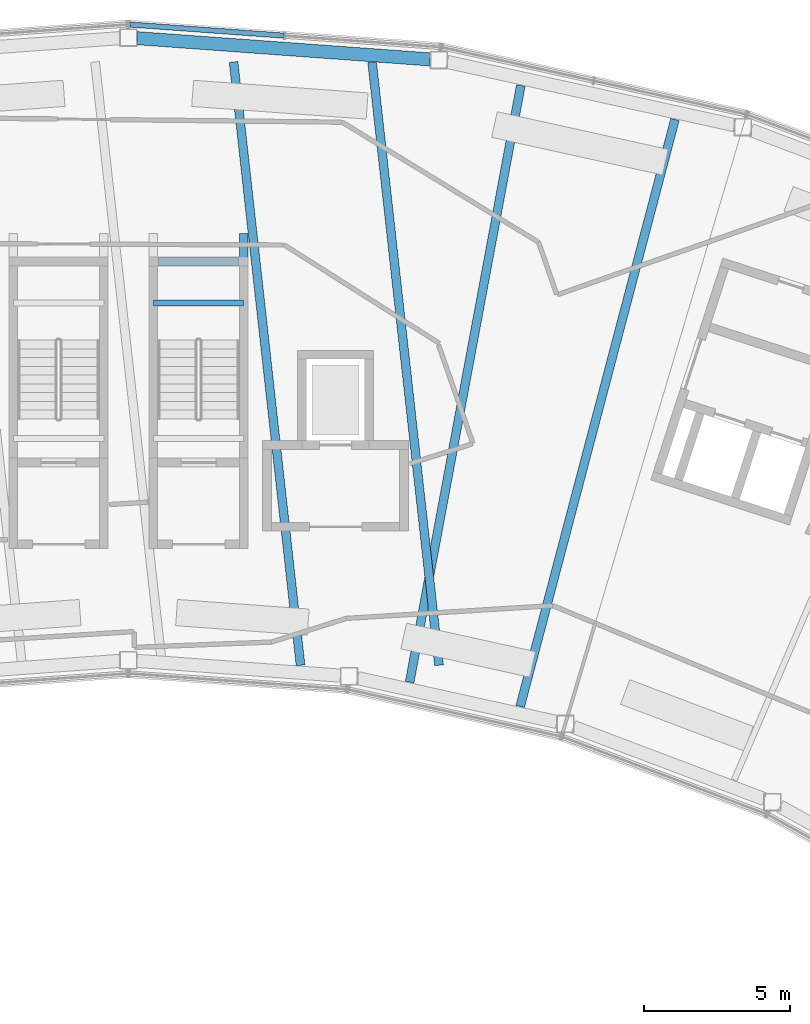
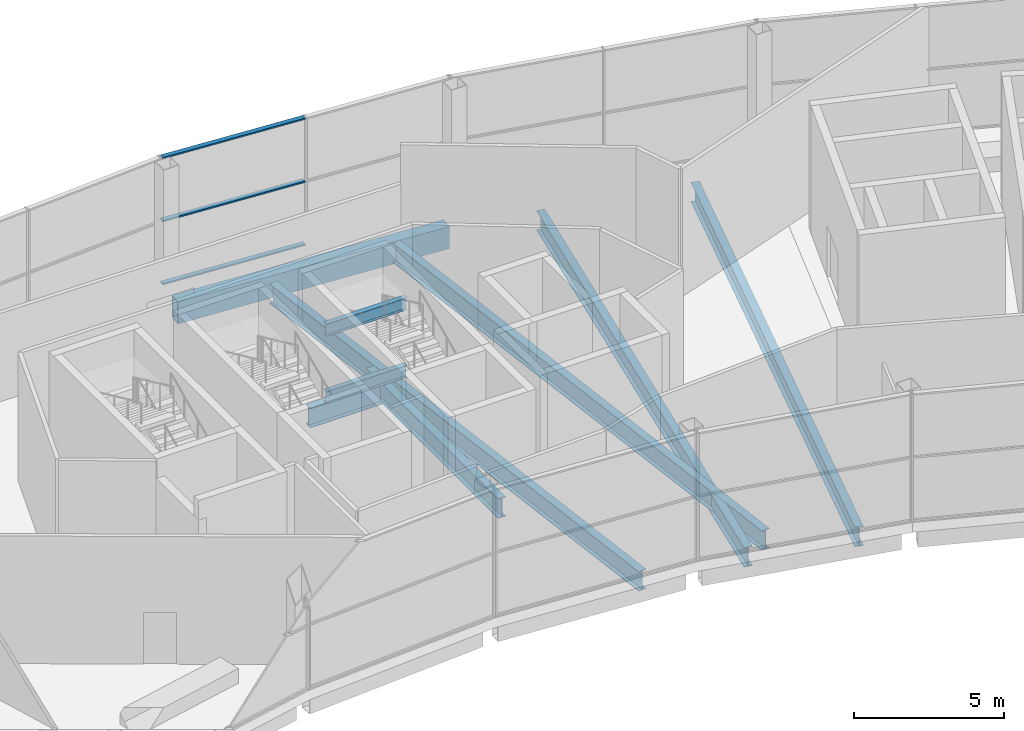
# One storey, part 29 of 44: 9 beams, 3 members, 1 element without a shape of its own.
"""IFC4 building model written with IfcOpenShell, lengths in metres."""

from ifc_helpers import new_model, si_unit, direction, frame, origin, origin_2d, place, context, subcontext, project, spatial, hollow_rectangle, i_section, extrude, material, layer, layer_set, material_profile, profile_set, type_object, element, aggregate, save


model = new_model("IFC4")

# Units and contexts
model_context = context("Model", 3, precision=1e-05, world=origin(), true_north=direction((0.0, 1.0)))
body_context = subcontext(model_context, "Body", "Model", "MODEL_VIEW")
ifc_project = project(units=[si_unit("LENGTHUNIT", "METRE"), si_unit("AREAUNIT", "SQUARE_METRE"), si_unit("VOLUMEUNIT", "CUBIC_METRE"), si_unit("PLANEANGLEUNIT", "RADIAN"), si_unit("MASSUNIT", "GRAM", prefix="KILO")], contexts=[model_context])

# Site, building, storey
site_placement = place(None, origin())
site = spatial("IfcSite", under=ifc_project, at=site_placement, CompositionType="ELEMENT")
building_placement = place(site_placement, origin())
building = spatial("IfcBuilding", under=site, at=building_placement, Name="Tuul Gate Civic Tower", CompositionType="ELEMENT")
storey_placement = place(building_placement, frame((0.0, 0.0, 354.60009765625)))
storey = spatial("IfcBuildingStorey", under=building, at=storey_placement, Name="Observation level 2", CompositionType="ELEMENT", Elevation=354.60009765625)

# Curtain wall, members
ifc_material_1 = material(Name="Stainless steel", Category="steel")
ifc_layer = layer(ifc_material_1, 0.199951171875)
ifc_layer_set = layer_set([ifc_layer], Name="Stainless steel")
curtain_wall_type = type_object("IfcCurtainWallType", Name="Curtain wall CW4", PredefinedType="NOTDEFINED", material=ifc_layer_set)
curtain_wall_placement = place(storey_placement, origin())
curtain_wall = element("IfcCurtainWall", 1, at=curtain_wall_placement, inside=storey, type_object=curtain_wall_type, Name="Curtain wall CW4", PredefinedType="NOTDEFINED")
ifc_material_2 = material(Name="Stainless steel", Category="steel")
ifc_material_profile_1 = material_profile(ifc_material_2, hollow_rectangle(XDim=0.179931640625, YDim=0.06005859375, WallThickness=0.006103515625, at=origin_2d()), Name="CW4 transom")
ifc_profile_set_1 = profile_set([ifc_material_profile_1], Name="Stainless steel")
member_type = type_object("IfcMemberType", Name="CW4 transom", PredefinedType="USERDEFINED", material=ifc_profile_set_1)
member_1_placement = place(storey_placement, frame((7.51904296875, 13.89306640625, 0.02978515625), z_axis=(-0.997385906721, 0.072258930759, 0.0), x_axis=(-0.072258930759, -0.997385906721, 0.0)))
member_1 = element("IfcMember", 2, at=member_1_placement, type_object=member_type, Name="Transom", ObjectType="TRANSOM", PredefinedType="USERDEFINED", context=body_context, shape_type="SweptSolid", body=[
    extrude(hollow_rectangle(XDim=0.179931640625, YDim=0.06005859375, WallThickness=0.006103515625, at=origin_2d()), origin(), (0.0, 0.0, 1.0), 5.281005859375),
])
member_2_placement = place(storey_placement, frame((7.51904296875, 13.89306640625, 2.599853515625), z_axis=(-0.997385906721, 0.072258930759, 0.0), x_axis=(-0.072258930759, -0.997385906721, 0.0)))
member_2 = element("IfcMember", 3, at=member_2_placement, type_object=member_type, Name="Transom", ObjectType="TRANSOM", PredefinedType="USERDEFINED", context=body_context, shape_type="SweptSolid", body=[
    extrude(hollow_rectangle(XDim=0.179931640625, YDim=0.06005859375, WallThickness=0.006103515625, at=origin_2d()), origin(), (0.0, 0.0, 1.0), 5.281005859375),
])
member_3_placement = place(storey_placement, frame((7.51904296875, 13.89306640625, 5.169921875), z_axis=(-0.997385906721, 0.072258930759, 0.0), x_axis=(-0.072258930759, -0.997385906721, 0.0)))
member_3 = element("IfcMember", 4, at=member_3_placement, type_object=member_type, Name="Transom", ObjectType="TRANSOM", PredefinedType="USERDEFINED", context=body_context, shape_type="SweptSolid", body=[
    extrude(hollow_rectangle(XDim=0.179931640625, YDim=0.06005859375, WallThickness=0.006103515625, at=origin_2d()), origin(), (0.0, 0.0, 1.0), 5.281005859375),
])
aggregate(curtain_wall, [member_1, member_2, member_3])

# Beams
ifc_material_3 = material(Name="Steel S355", Category="steel")
ifc_material_profile_2 = material_profile(ifc_material_3, i_section(OverallWidth=0.199951171875, OverallDepth=0.5, WebThickness=0.010009765625, FlangeThickness=0.01611328125, at=origin_2d()), Name="PG500x200x10x16")
ifc_profile_set_2 = profile_set([ifc_material_profile_2], Name="Steel S355")
beam_type_1 = type_object("IfcBeamType", Name="STR-FLOOR BEAM-PG500x200x10x16", PredefinedType="BEAM", material=ifc_profile_set_2)
for number, where, z_axis, x_axis, name in (
    (5, (3.050048828125, 4.72509765625, 0.9248046875), (1.0, 0.0, 0.0), (0.0, 1.0, 0.0), "Landing support beam"),
    (6, (3.050048828125, 4.72509765625, 3.6748046875), (1.0, 0.0, 0.0), (0.0, 1.0, 0.0), "Landing support beam"),
):
    element("IfcBeam", number, at=place(storey_placement, frame(where, z_axis=z_axis, x_axis=x_axis)), inside=storey, type_object=beam_type_1, Name=name, PredefinedType="BEAM", context=body_context, shape_type="SweptSolid", body=[
        extrude(i_section(OverallWidth=0.199951171875, OverallDepth=0.5, WebThickness=0.010009765625, FlangeThickness=0.01611328125, at=origin_2d()), origin(), (0.0, 0.0, 1.0), 3.099853515625),
    ])
ifc_material_4 = material(Name="Steel S355", Category="steel")
ifc_material_profile_3 = material_profile(ifc_material_4, i_section(OverallWidth=0.300048828125, OverallDepth=0.800048828125, WebThickness=0.013916015625, FlangeThickness=0.02490234375, at=origin_2d()), Name="PG800x300x14x25")
ifc_profile_set_3 = profile_set([ifc_material_profile_3], Name="Steel S355")
beam_type_2 = type_object("IfcBeamType", Name="STR-FLOOR BEAM-PG800x300x14x25", PredefinedType="BEAM", material=ifc_profile_set_3)
beam_1_placement = place(storey_placement, frame((15.630615234375, -9.11328125, -0.800048828125), z_axis=(0.255002430405, 0.966940412067, 0.0), x_axis=(-0.966940412067, 0.255002430405, 0.0)))
element("IfcBeam", 7, at=beam_1_placement, inside=storey, type_object=beam_type_2, Name="Floor beam", PredefinedType="BEAM", context=body_context, shape_type="SweptSolid", body=[
    extrude(i_section(OverallWidth=0.300048828125, OverallDepth=0.800048828125, WebThickness=0.013916015625, FlangeThickness=0.02490234375, at=origin_2d()), origin(), (0.0, 0.0, 1.0), 20.81689453125),
])
beam_2_placement = place(storey_placement, frame((11.84033203125, -8.2783203125, -0.800048828125), z_axis=(0.183149454547, 0.983085081414, 0.0), x_axis=(-0.983085081414, 0.183149454547, 0.0)))
element("IfcBeam", 8, at=beam_2_placement, inside=storey, type_object=beam_type_2, Name="Floor beam", PredefinedType="BEAM", context=body_context, shape_type="SweptSolid", body=[
    extrude(i_section(OverallWidth=0.300048828125, OverallDepth=0.800048828125, WebThickness=0.013916015625, FlangeThickness=0.02490234375, at=origin_2d()), origin(), (0.0, 0.0, 1.0), 20.81103515625),
])
for number, where, z_axis, x_axis, name in (
    (9, (8.097900390625, -7.69873046875, -0.800048828125), (-0.110286058964, 0.993899886909, 0.0), (-0.993899886909, -0.110286058964, 0.0), "Floor beam"),
    (10, (12.847900390625, -7.69873046875, -0.800048828125), (-0.110286058964, 0.993899886909, 0.0), (-0.993899886909, -0.110286058964, 0.0), "Floor beam"),
):
    element("IfcBeam", number, at=place(storey_placement, frame(where, z_axis=z_axis, x_axis=x_axis)), inside=storey, type_object=beam_type_2, Name=name, PredefinedType="BEAM", context=body_context, shape_type="SweptSolid", body=[
        extrude(i_section(OverallWidth=0.300048828125, OverallDepth=0.800048828125, WebThickness=0.013916015625, FlangeThickness=0.02490234375, at=origin_2d()), origin(), (0.0, 0.0, 1.0), 20.8154296875),
    ])
beam_3_placement = place(storey_placement, frame((6.14990234375, -1.699951171875, -0.800048828125), z_axis=(0.0, 1.0, 0.0), x_axis=(-1.0, 0.0, 0.0)))
element("IfcBeam", 11, at=beam_3_placement, inside=storey, type_object=beam_type_2, Name="Floor beam", PredefinedType="BEAM", context=body_context, shape_type="SweptSolid", body=[
    extrude(i_section(OverallWidth=0.300048828125, OverallDepth=0.800048828125, WebThickness=0.013916015625, FlangeThickness=0.02490234375, at=origin_2d()), origin(), (0.0, 0.0, 1.0), 8.800048828125),
])
beam_4_placement = place(storey_placement, frame((3.2099609375, 6.14990234375, -0.800048828125), z_axis=(1.0, 0.0, 0.0), x_axis=(0.0, 1.0, 0.0)))
element("IfcBeam", 12, at=beam_4_placement, inside=storey, type_object=beam_type_2, Name="Floor beam", PredefinedType="BEAM", context=body_context, shape_type="SweptSolid", body=[
    extrude(i_section(OverallWidth=0.300048828125, OverallDepth=0.800048828125, WebThickness=0.013916015625, FlangeThickness=0.02490234375, at=origin_2d()), origin(), (0.0, 0.0, 1.0), 2.780029296875),
])
ifc_material_5 = material(Name="Steel S355", Category="steel")
ifc_material_profile_4 = material_profile(ifc_material_5, hollow_rectangle(XDim=0.449951171875, YDim=0.89990234375, WallThickness=0.02490234375, at=origin_2d()), Name="BOX900x450x25")
ifc_profile_set_4 = profile_set([ifc_material_profile_4], Name="Steel S355")
beam_type_3 = type_object("IfcBeamType", Name="STR-SPANDREL BEAM-BOX900x450x25", PredefinedType="BEAM", material=ifc_profile_set_4)
beam_5_placement = place(storey_placement, frame((12.541748046875, 13.07763671875, -0.85009765625), z_axis=(-0.997381504519, 0.072319668448, 0.0), x_axis=(-0.072319668448, -0.997381504519, 0.0)))
element("IfcBeam", 13, at=beam_5_placement, inside=storey, type_object=beam_type_3, Name="Spandrel beam", PredefinedType="BEAM", context=body_context, shape_type="SweptSolid", body=[
    extrude(hollow_rectangle(XDim=0.449951171875, YDim=0.89990234375, WallThickness=0.02490234375, at=origin_2d()), origin(), (0.0, 0.0, 1.0), 10.076904296875),
])

save(model, "model.ifc")
